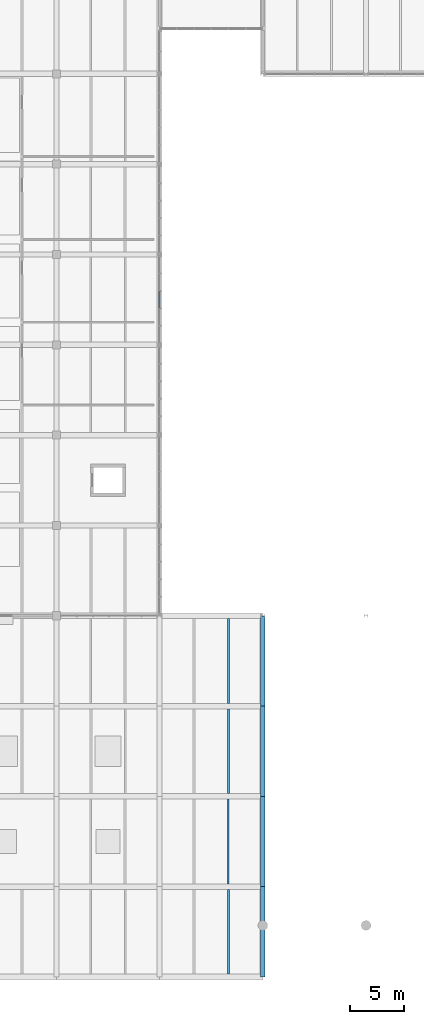
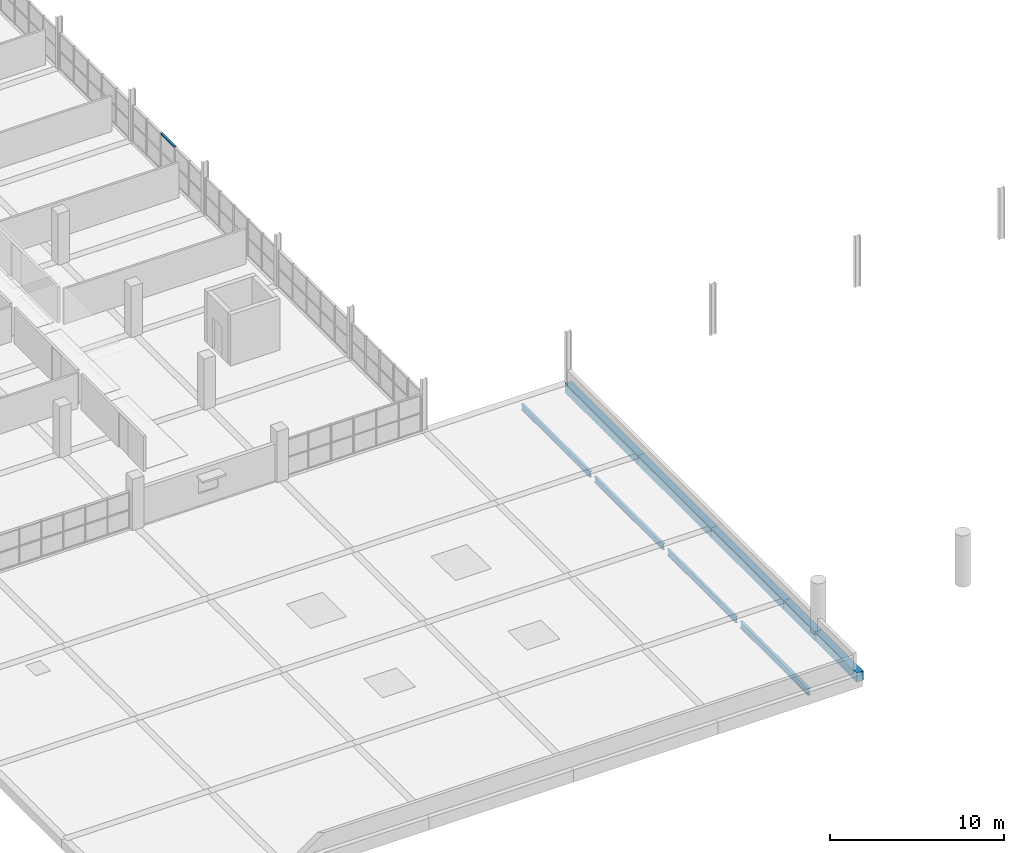
# One storey, part 28 of 147: 9 beams, 1 member, 1 element without a shape of its own.
"""IFC4 building model written with IfcOpenShell, lengths in metres."""

from ifc_helpers import new_model, si_unit, direction, frame, origin, origin_2d, place, context, subcontext, project, spatial, rectangle, i_section, extrude, material, material_profile, profile_set, type_object, element, aggregate, save


model = new_model("IFC4")

# Units and contexts
model_context = context("Model", 3, precision=1e-05, world=origin(), true_north=direction((0.0, 1.0)))
body_context = subcontext(model_context, "Body", "Model", "MODEL_VIEW")
ifc_project = project(units=[si_unit("LENGTHUNIT", "METRE"), si_unit("AREAUNIT", "SQUARE_METRE"), si_unit("VOLUMEUNIT", "CUBIC_METRE"), si_unit("PLANEANGLEUNIT", "RADIAN"), si_unit("MASSUNIT", "GRAM", prefix="KILO")], contexts=[model_context])

# Site, building, storey
site_placement = place(None, origin())
site = spatial("IfcSite", under=ifc_project, at=site_placement, CompositionType="ELEMENT")
building_placement = place(site_placement, origin())
building = spatial("IfcBuilding", under=site, at=building_placement, Name="Oolite Switchyard Hospital", CompositionType="ELEMENT")
storey_placement = place(building_placement, frame((0.0, 0.0, 9.89990234375)))
storey = spatial("IfcBuildingStorey", under=building, at=storey_placement, Name="L02", CompositionType="ELEMENT", Elevation=9.89990234375)

# Beams
ifc_material_1 = material(Name="Concrete C40/50", Category="concrete")
ifc_material_profile_1 = material_profile(ifc_material_1, rectangle(XDim=0.449951171875, YDim=0.64990234375, at=origin_2d()), Name="RCB450X650")
ifc_profile_set_1 = profile_set([ifc_material_profile_1], Name="Concrete C40/50")
beam_type_1 = type_object("IfcBeamType", Name="BM-RC450X650", PredefinedType="BEAM", material=ifc_profile_set_1)
beam_1_placement = place(storey_placement, frame((67.199951171875, 0.0, -0.324951171875), z_axis=(0.0, 1.0, 0.0), x_axis=(-1.0, 0.0, 0.0)))
element("IfcBeam", 1, at=beam_1_placement, inside=storey, type_object=beam_type_1, Name="L02 Y-Girder 1356", PredefinedType="BEAM", context=body_context, shape_type="SweptSolid", body=[
    extrude(rectangle(XDim=0.449951171875, YDim=0.64990234375, at=origin_2d()), origin(), (0.0, 0.0, 1.0), 4.800048828125),
])
beam_2_placement = place(storey_placement, frame((67.199951171875, 4.800048828125, -0.324951171875), z_axis=(0.0, 1.0, 0.0), x_axis=(-1.0, 0.0, 0.0)))
element("IfcBeam", 2, at=beam_2_placement, inside=storey, type_object=beam_type_1, Name="L02 Y-Girder 1357", PredefinedType="BEAM", context=body_context, shape_type="SweptSolid", body=[
    extrude(rectangle(XDim=0.449951171875, YDim=0.64990234375, at=origin_2d()), origin(), (0.0, 0.0, 1.0), 3.599853515625),
])
beam_3_placement = place(storey_placement, frame((67.199951171875, 8.39990234375, -0.324951171875), z_axis=(0.0, 1.0, 0.0), x_axis=(-1.0, 0.0, 0.0)))
element("IfcBeam", 3, at=beam_3_placement, inside=storey, type_object=beam_type_1, Name="L02 Y-Girder 1358", PredefinedType="BEAM", context=body_context, shape_type="SweptSolid", body=[
    extrude(rectangle(XDim=0.449951171875, YDim=0.64990234375, at=origin_2d()), origin(), (0.0, 0.0, 1.0), 8.400146484375),
])
beam_4_placement = place(storey_placement, frame((67.199951171875, 16.800048828125, -0.324951171875), z_axis=(0.0, 1.0, 0.0), x_axis=(-1.0, 0.0, 0.0)))
element("IfcBeam", 4, at=beam_4_placement, inside=storey, type_object=beam_type_1, Name="L02 Y-Girder 1359", PredefinedType="BEAM", context=body_context, shape_type="SweptSolid", body=[
    extrude(rectangle(XDim=0.449951171875, YDim=0.64990234375, at=origin_2d()), origin(), (0.0, 0.0, 1.0), 8.39990234375),
])
beam_5_placement = place(storey_placement, frame((67.199951171875, 25.199951171875, -0.324951171875), z_axis=(0.0, 1.0, 0.0), x_axis=(-1.0, 0.0, 0.0)))
element("IfcBeam", 5, at=beam_5_placement, inside=storey, type_object=beam_type_1, Name="L02 Y-Girder 1360", PredefinedType="BEAM", context=body_context, shape_type="SweptSolid", body=[
    extrude(rectangle(XDim=0.449951171875, YDim=0.64990234375, at=origin_2d()), origin(), (0.0, 0.0, 1.0), 8.400146484375),
])
ifc_material_2 = material(Name="Steel ASTM A992 Grade 50", Category="steel")
ifc_material_profile_2 = material_profile(ifc_material_2, i_section(OverallWidth=0.177978515625, OverallDepth=0.403076171875, WebThickness=0.008056640625, FlangeThickness=0.010986328125, at=origin_2d()), Name="W16X36")
ifc_profile_set_2 = profile_set([ifc_material_profile_2], Name="Steel ASTM A992 Grade 50")
beam_type_2 = type_object("IfcBeamType", Name="BM-W16X36", PredefinedType="JOIST", material=ifc_profile_set_2)
beam_6_placement = place(storey_placement, frame((64.0, 25.449951171875, -0.421875), z_axis=(0.0, 1.0, 0.0), x_axis=(-1.0, 0.0, 0.0)))
element("IfcBeam", 6, at=beam_6_placement, inside=storey, type_object=beam_type_2, Name="L02 Secondary Steel Joist 1687", PredefinedType="JOIST", context=body_context, shape_type="SweptSolid", body=[
    extrude(i_section(OverallWidth=0.177978515625, OverallDepth=0.403076171875, WebThickness=0.008056640625, FlangeThickness=0.010986328125, at=origin_2d()), origin(), (0.0, 0.0, 1.0), 7.900146484375),
])
ifc_material_profile_3 = material_profile(ifc_material_2, i_section(OverallWidth=0.179931640625, OverallDepth=0.4130859375, WebThickness=0.010009765625, FlangeThickness=0.01611328125, at=origin_2d()), Name="W16X50")
ifc_profile_set_3 = profile_set([ifc_material_profile_3], Name="Steel ASTM A992 Grade 50")
beam_type_3 = type_object("IfcBeamType", Name="BM-W16X50", PredefinedType="JOIST", material=ifc_profile_set_3)
beam_7_placement = place(storey_placement, frame((64.0, 17.050048828125, -0.42578125), z_axis=(0.0, 1.0, 0.0), x_axis=(-1.0, 0.0, 0.0)))
element("IfcBeam", 7, at=beam_7_placement, inside=storey, type_object=beam_type_3, Name="L02 Secondary Steel Joist 1685", PredefinedType="JOIST", context=body_context, shape_type="SweptSolid", body=[
    extrude(i_section(OverallWidth=0.179931640625, OverallDepth=0.4130859375, WebThickness=0.010009765625, FlangeThickness=0.01611328125, at=origin_2d()), origin(), (0.0, 0.0, 1.0), 7.89990234375),
])
ifc_material_profile_4 = material_profile(ifc_material_2, i_section(OverallWidth=0.153076171875, OverallDepth=0.455078125, WebThickness=0.008056640625, FlangeThickness=0.012939453125, at=origin_2d()), Name="W18X40")
ifc_profile_set_4 = profile_set([ifc_material_profile_4], Name="Steel ASTM A992 Grade 50")
beam_type_4 = type_object("IfcBeamType", Name="BM-W18X40", PredefinedType="JOIST", material=ifc_profile_set_4)
beam_8_placement = place(storey_placement, frame((64.0, 8.64990234375, -0.447998046875), z_axis=(0.0, 1.0, 0.0), x_axis=(-1.0, 0.0, 0.0)))
element("IfcBeam", 8, at=beam_8_placement, inside=storey, type_object=beam_type_4, Name="L02 Secondary Steel Joist 1683", PredefinedType="JOIST", context=body_context, shape_type="SweptSolid", body=[
    extrude(i_section(OverallWidth=0.153076171875, OverallDepth=0.455078125, WebThickness=0.008056640625, FlangeThickness=0.012939453125, at=origin_2d()), origin(), (0.0, 0.0, 1.0), 7.900146484375),
])
ifc_material_profile_5 = material_profile(ifc_material_2, i_section(OverallWidth=0.19091796875, OverallDepth=0.4599609375, WebThickness=0.010009765625, FlangeThickness=0.01611328125, at=origin_2d()), Name="W18X55")
ifc_profile_set_5 = profile_set([ifc_material_profile_5], Name="Steel ASTM A992 Grade 50")
beam_type_5 = type_object("IfcBeamType", Name="BM-W18X55", PredefinedType="JOIST", material=ifc_profile_set_5)
beam_9_placement = place(storey_placement, frame((64.0, 0.27490234375, -0.449951171875), z_axis=(0.0, 1.0, 0.0), x_axis=(-1.0, 0.0, 0.0)))
element("IfcBeam", 9, at=beam_9_placement, inside=storey, type_object=beam_type_5, Name="L02 Secondary Steel Joist 1681", PredefinedType="JOIST", context=body_context, shape_type="SweptSolid", body=[
    extrude(i_section(OverallWidth=0.19091796875, OverallDepth=0.4599609375, WebThickness=0.010009765625, FlangeThickness=0.01611328125, at=origin_2d()), origin(), (0.0, 0.0, 1.0), 7.875),
])

# Curtain wall, member
ifc_material_3 = material(Name="Thermally broken aluminum frame with laminated impact glazing", Category="aluminium")
curtain_wall_type = type_object("IfcCurtainWallType", Name="CW-UNIT-84X36", PredefinedType="USERDEFINED", material=ifc_material_3)
curtain_wall_placement = place(storey_placement, origin())
curtain_wall = element("IfcCurtainWall", 10, at=curtain_wall_placement, inside=storey, type_object=curtain_wall_type, Name="L02 Unitised Curtain Wall 281", ObjectType="UNITISED", PredefinedType="USERDEFINED")
ifc_material_4 = material(Name="Aluminium 6063-T6", Category="aluminium")
ifc_material_profile_6 = material_profile(ifc_material_4, rectangle(XDim=0.159912109375, YDim=0.074951171875, at=origin_2d()), Name="CWT75X160")
ifc_profile_set_6 = profile_set([ifc_material_profile_6], Name="Aluminium 6063-T6")
member_type = type_object("IfcMemberType", Name="CW-TRN-180", PredefinedType="USERDEFINED", material=ifc_profile_set_6)
member_placement = place(storey_placement, frame((57.60009765625, 63.776611328125, 2.53271484375), z_axis=(0.0, -1.0, 0.0), x_axis=(1.0, 0.0, 0.0)))
member = element("IfcMember", 11, at=member_placement, type_object=member_type, Name="CW-08 transom 3.3", ObjectType="TRANSOM", PredefinedType="USERDEFINED", context=body_context, shape_type="SweptSolid", body=[
    extrude(rectangle(XDim=0.159912109375, YDim=0.074951171875, at=origin_2d()), origin(), (0.0, 0.0, 1.0), 1.55322265625),
])
aggregate(curtain_wall, [member])

save(model, "model.ifc")
